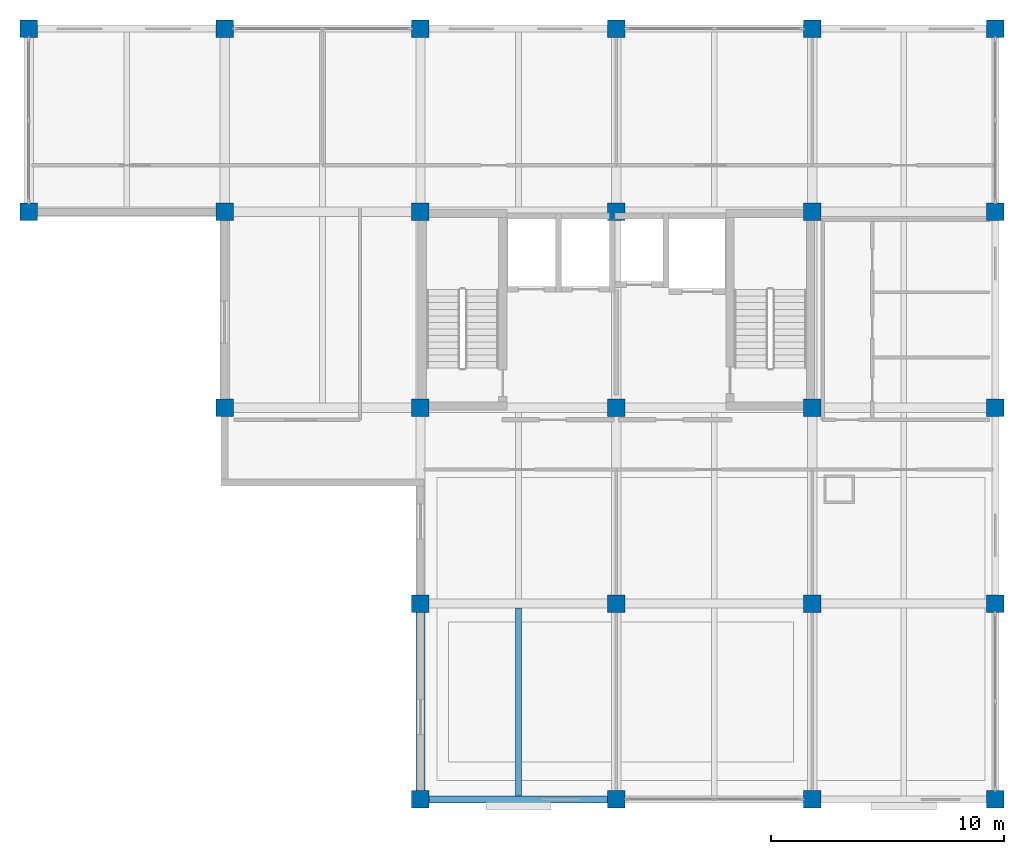
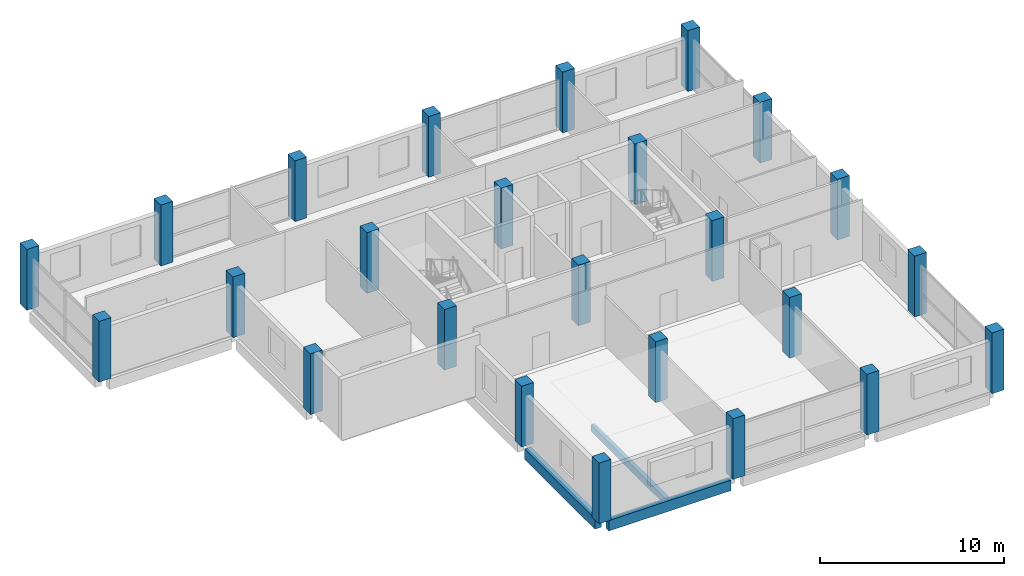
# One storey, part 1 of 9: 25 columns, 3 beams.
"""IFC4 building model written with IfcOpenShell, lengths in metres."""

from ifc_helpers import new_model, si_unit, direction, frame, origin, origin_2d, place, context, subcontext, project, spatial, rectangle, extrude, material, material_profile, profile_set, type_object, element, save


model = new_model("IFC4")

# Units and contexts
model_context = context("Model", 3, precision=1e-05, world=origin(), true_north=direction((0.0, 1.0)))
body_context = subcontext(model_context, "Body", "Model", "MODEL_VIEW")
ifc_project = project(units=[si_unit("LENGTHUNIT", "METRE"), si_unit("AREAUNIT", "SQUARE_METRE"), si_unit("VOLUMEUNIT", "CUBIC_METRE"), si_unit("PLANEANGLEUNIT", "RADIAN"), si_unit("MASSUNIT", "GRAM", prefix="KILO")], contexts=[model_context])

# Site, building, storey
site_placement = place(None, origin())
site = spatial("IfcSite", under=ifc_project, at=site_placement, CompositionType="ELEMENT")
building_placement = place(site_placement, origin())
building = spatial("IfcBuilding", under=site, at=building_placement, Name="Brinegate Botanical Conservatory", CompositionType="ELEMENT")
storey_placement = place(building_placement, frame((0.0, 0.0, 52.800048828125)))
storey = spatial("IfcBuildingStorey", under=building, at=storey_placement, Name="L13", CompositionType="ELEMENT", Elevation=52.800048828125)

# Columns
ifc_material = material(Name="Concrete C40/50", Category="concrete")
ifc_material_profile_1 = material_profile(ifc_material, rectangle(XDim=0.75, YDim=0.75, at=origin_2d()), Name="RC COL 750x750")
ifc_profile_set_1 = profile_set([ifc_material_profile_1], Name="Concrete C40/50")
column_type = type_object("IfcColumnType", Name="Col_C-T4", PredefinedType="COLUMN", material=ifc_profile_set_1)
for number, where, z_axis, x_axis, name in (
    (1, (122.0, 103.60009765625, 0.0), (0.0, 0.0, 1.0), (1.0, 0.0, 0.0), "Column C-T4 L13 N-16"),
    (2, (122.0, 111.449951171875, 0.0), (0.0, 0.0, 1.0), (1.0, 0.0, 0.0), "Column C-T4 L13 P-16"),
    (3, (130.39990234375, 95.199951171875, 0.0), (0.0, 0.0, 1.0), (1.0, 0.0, 0.0), "Column C-T4 L13 M-17"),
    (4, (130.39990234375, 103.60009765625, 0.0), (0.0, 0.0, 1.0), (1.0, 0.0, 0.0), "Column C-T4 L13 N-17"),
    (5, (130.39990234375, 111.449951171875, 0.0), (0.0, 0.0, 1.0), (1.0, 0.0, 0.0), "Column C-T4 L13 P-17"),
    (6, (138.800048828125, 78.39990234375, 0.0), (0.0, 0.0, 1.0), (1.0, 0.0, 0.0), "Column C-T4 L13 K-18"),
    (7, (138.800048828125, 86.800048828125, 0.0), (0.0, 0.0, 1.0), (1.0, 0.0, 0.0), "Column C-T4 L13 L-18"),
    (8, (138.800048828125, 95.199951171875, 0.0), (0.0, 0.0, 1.0), (1.0, 0.0, 0.0), "Column C-T4 L13 M-18"),
    (9, (138.800048828125, 103.60009765625, 0.0), (0.0, 0.0, 1.0), (1.0, 0.0, 0.0), "Column C-T4 L13 N-18"),
    (10, (138.800048828125, 111.449951171875, 0.0), (0.0, 0.0, 1.0), (1.0, 0.0, 0.0), "Column C-T4 L13 P-18"),
    (11, (147.199951171875, 78.39990234375, 0.0), (0.0, 0.0, 1.0), (1.0, 0.0, 0.0), "Column C-T4 L13 K-19"),
    (12, (147.199951171875, 86.800048828125, 0.0), (0.0, 0.0, 1.0), (1.0, 0.0, 0.0), "Column C-T4 L13 L-19"),
    (13, (147.199951171875, 95.199951171875, 0.0), (0.0, 0.0, 1.0), (1.0, 0.0, 0.0), "Column C-T4 L13 M-19"),
    (14, (147.199951171875, 103.60009765625, 0.0), (0.0, 0.0, 1.0), (1.0, 0.0, 0.0), "Column C-T4 L13 N-19"),
    (15, (147.199951171875, 111.449951171875, 0.0), (0.0, 0.0, 1.0), (1.0, 0.0, 0.0), "Column C-T4 L13 P-19"),
    (16, (155.60009765625, 78.39990234375, 0.0), (0.0, 0.0, 1.0), (1.0, 0.0, 0.0), "Column C-T4 L13 K-20"),
    (17, (155.60009765625, 86.800048828125, 0.0), (0.0, 0.0, 1.0), (1.0, 0.0, 0.0), "Column C-T4 L13 L-20"),
    (18, (155.60009765625, 95.199951171875, 0.0), (0.0, 0.0, 1.0), (1.0, 0.0, 0.0), "Column C-T4 L13 M-20"),
    (19, (155.60009765625, 103.60009765625, 0.0), (0.0, 0.0, 1.0), (1.0, 0.0, 0.0), "Column C-T4 L13 N-20"),
    (20, (155.60009765625, 111.449951171875, 0.0), (0.0, 0.0, 1.0), (1.0, 0.0, 0.0), "Column C-T4 L13 P-20"),
    (21, (163.449951171875, 78.39990234375, 0.0), (0.0, 0.0, 1.0), (1.0, 0.0, 0.0), "Column C-T4 L13 K-21"),
    (22, (163.449951171875, 86.800048828125, 0.0), (0.0, 0.0, 1.0), (1.0, 0.0, 0.0), "Column C-T4 L13 L-21"),
    (23, (163.449951171875, 95.199951171875, 0.0), (0.0, 0.0, 1.0), (1.0, 0.0, 0.0), "Column C-T4 L13 M-21"),
    (24, (163.449951171875, 103.60009765625, 0.0), (0.0, 0.0, 1.0), (1.0, 0.0, 0.0), "Column C-T4 L13 N-21"),
    (25, (163.449951171875, 111.449951171875, 0.0), (0.0, 0.0, 1.0), (1.0, 0.0, 0.0), "Column C-T4 L13 P-21"),
):
    element("IfcColumn", number, at=place(storey_placement, frame(where, z_axis=z_axis, x_axis=x_axis)), inside=storey, type_object=column_type, Name=name, PredefinedType="COLUMN", context=body_context, shape_type="SweptSolid", body=[
        extrude(rectangle(XDim=0.75, YDim=0.75, at=origin_2d()), origin(), (0.0, 0.0, 1.0), 4.030029296875),
    ])

# Beams
ifc_material_profile_2 = material_profile(ifc_material, rectangle(XDim=0.39990234375, YDim=0.699951171875, at=origin_2d()), Name="RC BM 400x700")
ifc_profile_set_2 = profile_set([ifc_material_profile_2], Name="Concrete C40/50")
beam_type_1 = type_object("IfcBeamType", Name="Beam_BM-T2", PredefinedType="BEAM", material=ifc_profile_set_2)
beam_1_placement = place(storey_placement, frame((138.800048828125, 78.77490234375, -0.52001953125), z_axis=(0.0, 1.0, 0.0), x_axis=(-1.0, 0.0, 0.0)))
element("IfcBeam", 26, at=beam_1_placement, inside=storey, type_object=beam_type_1, Name="Beam BM-T2 L13 18:K-L", PredefinedType="BEAM", context=body_context, shape_type="SweptSolid", body=[
    extrude(rectangle(XDim=0.39990234375, YDim=0.699951171875, at=origin_2d()), origin(), (0.0, 0.0, 1.0), 7.650146484375),
])
ifc_material_profile_3 = material_profile(ifc_material, rectangle(XDim=0.25, YDim=0.449951171875, at=origin_2d()), Name="RC JST 250x450")
ifc_profile_set_3 = profile_set([ifc_material_profile_3], Name="Concrete C40/50")
beam_type_2 = type_object("IfcBeamType", Name="Beam_JS-C3", PredefinedType="JOIST", material=ifc_profile_set_3)
beam_2_placement = place(storey_placement, frame((143.0, 78.550048828125, -0.39501953125), z_axis=(0.0, 1.0, 0.0), x_axis=(-1.0, 0.0, 0.0)))
element("IfcBeam", 27, at=beam_2_placement, inside=storey, type_object=beam_type_2, Name="Floor joist JS-C3 L13 bay 18.10", PredefinedType="JOIST", context=body_context, shape_type="SweptSolid", body=[
    extrude(rectangle(XDim=0.25, YDim=0.449951171875, at=origin_2d()), origin(), (0.0, 0.0, 1.0), 8.050048828125),
])
ifc_material_profile_4 = material_profile(ifc_material, rectangle(XDim=0.300048828125, YDim=0.699951171875, at=origin_2d()), Name="RC SPN 300x700")
ifc_profile_set_4 = profile_set([ifc_material_profile_4], Name="Concrete C40/50")
beam_type_3 = type_object("IfcBeamType", Name="Beam_SP-02", PredefinedType="SPANDREL", material=ifc_profile_set_4)
beam_3_placement = place(storey_placement, frame((139.175048828125, 78.39990234375, -0.52001953125), z_axis=(1.0, 0.0, 0.0), x_axis=(0.0, 1.0, 0.0)))
element("IfcBeam", 28, at=beam_3_placement, inside=storey, type_object=beam_type_3, Name="Beam SP-02 L13 K:18-19", PredefinedType="SPANDREL", context=body_context, shape_type="SweptSolid", body=[
    extrude(rectangle(XDim=0.300048828125, YDim=0.699951171875, at=origin_2d()), origin(), (0.0, 0.0, 1.0), 7.64990234375),
])

save(model, "model.ifc")
